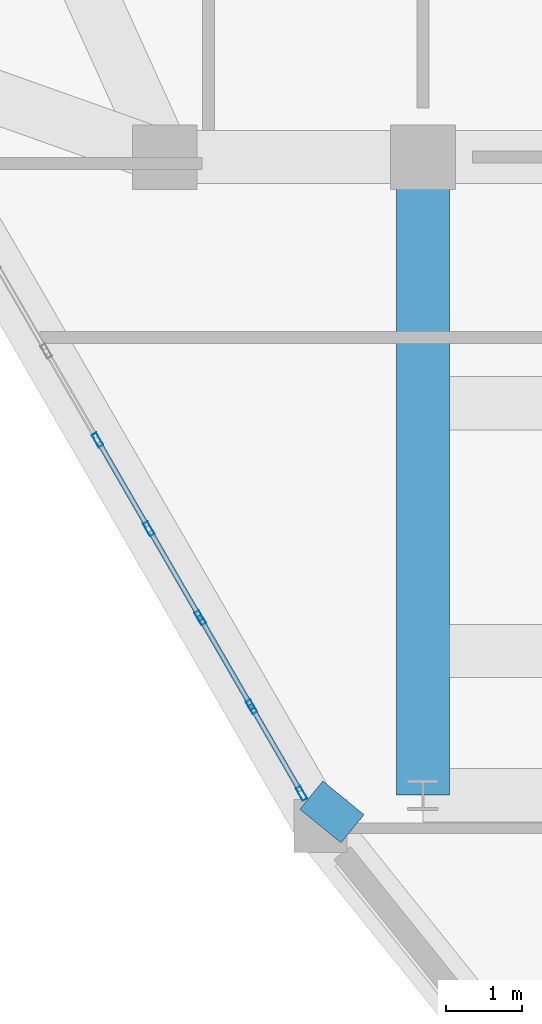
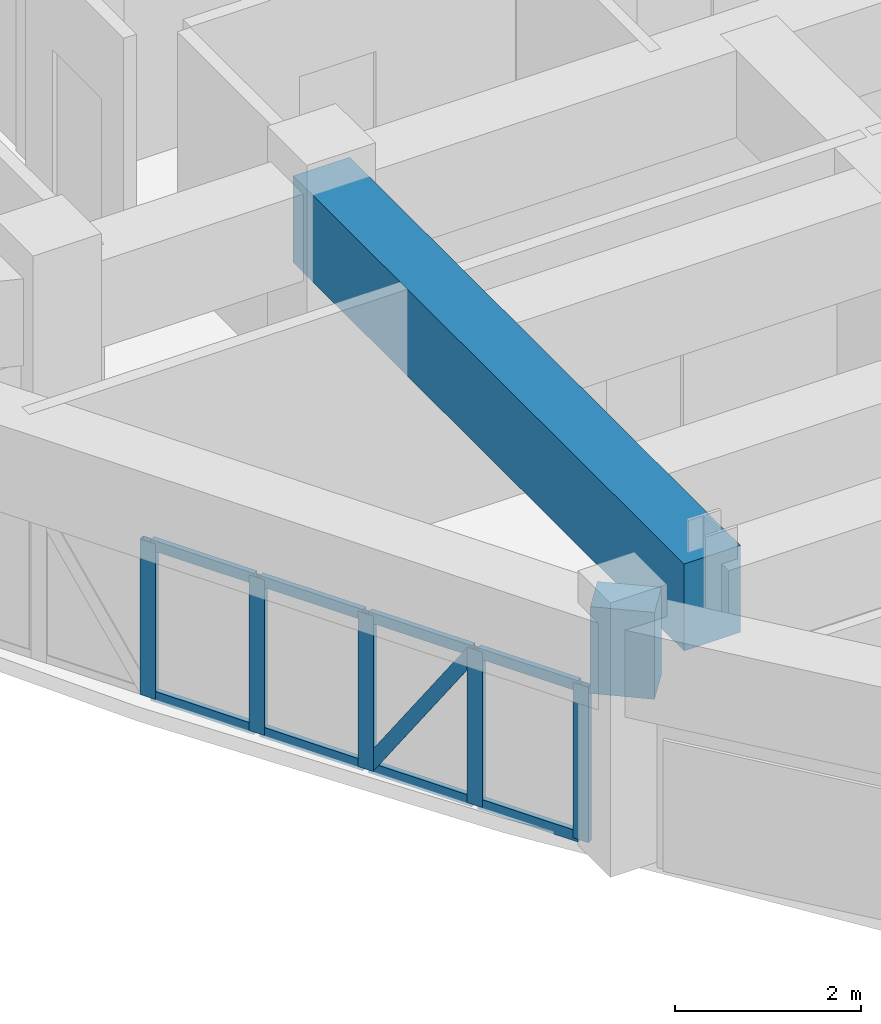
# One storey, part 2 of 14: 14 members, 2 beams, 1 element without a shape of its own.
"""IFC4 building model written with IfcOpenShell, lengths in metres."""

from ifc_helpers import new_model, si_unit, derived_unit, direction, frame, origin, origin_2d, place, context, subcontext, project, spatial, rectangle, hollow_rectangle, extrude, source, transform, mapped, material, layer, layer_set, material_profile, profile_set, type_object, element, aggregate, save


model = new_model("IFC4")

# Units and contexts
model_context = context("Model", 3, precision=1e-05, world=origin(), true_north=direction((0.0, 1.0)))
body_context = subcontext(model_context, "Body", "Model", "MODEL_VIEW")
ifc_project = project(units=[si_unit("LENGTHUNIT", "METRE"), si_unit("AREAUNIT", "SQUARE_METRE"), si_unit("VOLUMEUNIT", "CUBIC_METRE"), si_unit("PLANEANGLEUNIT", "RADIAN"), si_unit("MASSUNIT", "GRAM", prefix="KILO"), derived_unit("THERMALTRANSMITTANCEUNIT", [(si_unit("POWERUNIT", "WATT"), 1), (si_unit("LENGTHUNIT", "METRE"), -2), (si_unit("THERMODYNAMICTEMPERATUREUNIT", "KELVIN"), -1)])], contexts=[model_context])

# Site, building, storey
site_placement = place(None, origin())
site = spatial("IfcSite", under=ifc_project, at=site_placement, CompositionType="ELEMENT")
building_placement = place(site_placement, origin())
building = spatial("IfcBuilding", under=site, at=building_placement, Name="Korsvarv Bourse and Concert Hall", CompositionType="ELEMENT")
storey_placement = place(building_placement, frame((0.0, 0.0, 271.800048828125)))
storey = spatial("IfcBuildingStorey", under=building, at=storey_placement, Name="L71", CompositionType="ELEMENT", Elevation=271.800048828125)

# Beams
ifc_material_1 = material(Name="Concrete C50/60", Category="concrete")
ifc_material_profile_1 = material_profile(ifc_material_1, rectangle(XDim=0.699951171875, YDim=1.139892578125, at=origin_2d()), Name="RC-BM 700x1140")
ifc_profile_set_1 = profile_set([ifc_material_profile_1], Name="Concrete C50/60")
beam_type = type_object("IfcBeamType", Name="BM-TR-114", PredefinedType="BEAM", material=ifc_profile_set_1)
shared_shape_1 = source(origin(), body_context, "Body", "SweptSolid", [
    extrude(rectangle(XDim=0.699951171875, YDim=1.139892578125, at=origin_2d()), origin(), (0.0, 0.0, 1.0), 8.39990234375),
])
beam_1_placement = place(storey_placement, frame((27.60009765625, 24.0, 2.60986328125), z_axis=(0.0, 1.0, 0.0), x_axis=(-1.0, 0.0, 0.0)))
element("IfcBeam", 1, at=beam_1_placement, inside=storey, type_object=beam_type, Name="L71 beam B-TR5", PredefinedType="BEAM", context=body_context, shape_type="MappedRepresentation", body=[
    mapped(shared_shape_1, transform((0.0, 0.0, 0.0), scale=1.0)),
])
shared_shape_2 = source(origin(), body_context, "Body", "SweptSolid", [
    extrude(rectangle(XDim=0.699951171875, YDim=1.139892578125, at=origin_2d()), origin(), (0.0, 0.0, 1.0), 0.478515625),
])
beam_2_placement = place(storey_placement, frame((26.250244140625, 23.593505859375, 2.60986328125), z_axis=(0.631207155644, 0.775614289878, 0.0), x_axis=(-0.775614289878, 0.631207155644, 0.0)))
element("IfcBeam", 2, at=beam_2_placement, inside=storey, type_object=beam_type, Name="L71 beam B-TR5", PredefinedType="BEAM", context=body_context, shape_type="MappedRepresentation", body=[
    mapped(shared_shape_2, transform((0.0, 0.0, 0.0), scale=1.0)),
])

# Curtain wall, members
ifc_material_2 = material(Name="Anodised aluminium and triple low-E glazing", Category="glass")
ifc_layer = layer(ifc_material_2, 0.199951171875)
ifc_layer_set = layer_set([ifc_layer], Name="Anodised aluminium and triple low-E glazing")
curtain_wall_type = type_object("IfcCurtainWallType", Name="CW-SYS-3", PredefinedType="NOTDEFINED", material=ifc_layer_set)
curtain_wall_placement = place(storey_placement, origin())
curtain_wall = element("IfcCurtainWall", 3, at=curtain_wall_placement, inside=storey, type_object=curtain_wall_type, Name="L71 CW3 curtain wall CW-L71-F07", PredefinedType="NOTDEFINED")
ifc_material_3 = material(Name="Extruded aluminium EN AW-6063 T66", Category="aluminium")
ifc_material_profile_2 = material_profile(ifc_material_3, hollow_rectangle(XDim=0.070068359375, YDim=0.18994140625, WallThickness=0.0048828125, at=origin_2d()), Name="ALU-M 70x190")
ifc_profile_set_2 = profile_set([ifc_material_profile_2], Name="Extruded aluminium EN AW-6063 T66")
member_type_1 = type_object("IfcMemberType", Name="CWM-190", PredefinedType="MULLION", material=ifc_profile_set_2)
shared_shape_3 = source(origin(), body_context, "Body", "SweptSolid", [
    extrude(hollow_rectangle(XDim=0.070068359375, YDim=0.18994140625, WallThickness=0.0048828125, at=origin_2d()), origin(), (0.0, 0.0, 1.0), 2.0400390625),
])
member_1_placement = place(storey_placement, frame((23.3154296875, 28.6767578125, 0.0), z_axis=(0.0, 0.0, 1.0), x_axis=(0.866022834448, 0.500004450195, 0.0)))
member_1 = element("IfcMember", 4, at=member_1_placement, type_object=member_type_1, Name="CW3 mullion 5", PredefinedType="MULLION", context=body_context, shape_type="MappedRepresentation", body=[
    mapped(shared_shape_3, transform((0.0, 0.0, 0.0), scale=1.0)),
])
member_2_placement = place(storey_placement, frame((23.991455078125, 27.505859375, 0.0), z_axis=(0.0, 0.0, 1.0), x_axis=(0.866022834448, 0.500004450195, 0.0)))
member_2 = element("IfcMember", 5, at=member_2_placement, type_object=member_type_1, Name="CW3 mullion 6", PredefinedType="MULLION", context=body_context, shape_type="MappedRepresentation", body=[
    mapped(shared_shape_3, transform((0.0, 0.0, 0.0), scale=1.0)),
])
member_3_placement = place(storey_placement, frame((24.66748046875, 26.3349609375, 0.0), z_axis=(0.0, 0.0, 1.0), x_axis=(0.866022834448, 0.500004450195, 0.0)))
member_3 = element("IfcMember", 6, at=member_3_placement, type_object=member_type_1, Name="CW3 mullion 7", PredefinedType="MULLION", context=body_context, shape_type="MappedRepresentation", body=[
    mapped(shared_shape_3, transform((0.0, 0.0, 0.0), scale=1.0)),
])
member_4_placement = place(storey_placement, frame((25.343505859375, 25.164306640625, 0.0), z_axis=(0.0, 0.0, 1.0), x_axis=(0.866022834448, 0.500004450195, 0.0)))
member_4 = element("IfcMember", 7, at=member_4_placement, type_object=member_type_1, Name="CW3 mullion 8", PredefinedType="MULLION", context=body_context, shape_type="MappedRepresentation", body=[
    mapped(shared_shape_3, transform((0.0, 0.0, 0.0), scale=1.0)),
])
member_5_placement = place(storey_placement, frame((26.001953125, 24.02392578125, 0.0), z_axis=(0.0, 0.0, 1.0), x_axis=(0.866022834448, 0.500004450195, 0.0)))
member_5 = element("IfcMember", 8, at=member_5_placement, type_object=member_type_1, Name="CW3 mullion 9", PredefinedType="MULLION", context=body_context, shape_type="MappedRepresentation", body=[
    mapped(shared_shape_3, transform((0.0, 0.0, 0.0), scale=1.0)),
])
ifc_material_profile_3 = material_profile(ifc_material_3, hollow_rectangle(XDim=0.06494140625, YDim=0.139892578125, WallThickness=0.00390625, at=origin_2d()), Name="ALU-T 65x140")
ifc_profile_set_3 = profile_set([ifc_material_profile_3], Name="Extruded aluminium EN AW-6063 T66")
member_type_2 = type_object("IfcMemberType", Name="CWT-140", PredefinedType="USERDEFINED", material=ifc_profile_set_3)
shared_shape_4 = source(origin(), body_context, "Body", "SweptSolid", [
    extrude(hollow_rectangle(XDim=0.06494140625, YDim=0.139892578125, WallThickness=0.00390625, at=origin_2d()), origin(), (0.0, 0.0, 1.0), 1.246826171875),
])
member_6_placement = place(storey_placement, frame((25.36083984375, 25.134033203125, 0.032470703125), z_axis=(0.500055764683, -0.865993205636, 0.0), x_axis=(0.865993205636, 0.500055764683, 0.0)))
member_6 = element("IfcMember", 9, at=member_6_placement, type_object=member_type_2, Name="CW3 transom 8.1", ObjectType="TRANSOM", PredefinedType="USERDEFINED", context=body_context, shape_type="MappedRepresentation", body=[
    mapped(shared_shape_4, transform((0.0, 0.0, 0.0), scale=1.0)),
])
member_7_placement = place(storey_placement, frame((25.36083984375, 25.134033203125, 2.007568359375), z_axis=(0.500055764683, -0.865993205636, 0.0), x_axis=(0.865993205636, 0.500055764683, 0.0)))
member_7 = element("IfcMember", 10, at=member_7_placement, type_object=member_type_2, Name="CW3 transom 8.2", ObjectType="TRANSOM", PredefinedType="USERDEFINED", context=body_context, shape_type="MappedRepresentation", body=[
    mapped(shared_shape_4, transform((0.0, 0.0, 0.0), scale=1.0)),
])
shared_shape_5 = source(origin(), body_context, "Body", "SweptSolid", [
    extrude(hollow_rectangle(XDim=0.06494140625, YDim=0.139892578125, WallThickness=0.00390625, at=origin_2d()), origin(), (0.0, 0.0, 1.0), 1.28173828125),
])
member_8_placement = place(storey_placement, frame((24.009033203125, 27.4755859375, 0.032470703125), z_axis=(0.49996976238, -0.866042860778, 0.0), x_axis=(0.866042860778, 0.49996976238, 0.0)))
member_8 = element("IfcMember", 11, at=member_8_placement, type_object=member_type_2, Name="CW3 transom 6.1", ObjectType="TRANSOM", PredefinedType="USERDEFINED", context=body_context, shape_type="MappedRepresentation", body=[
    mapped(shared_shape_5, transform((0.0, 0.0, 0.0), scale=1.0)),
])
member_9_placement = place(storey_placement, frame((24.009033203125, 27.4755859375, 2.007568359375), z_axis=(0.49996976238, -0.866042860778, 0.0), x_axis=(0.866042860778, 0.49996976238, 0.0)))
member_9 = element("IfcMember", 12, at=member_9_placement, type_object=member_type_2, Name="CW3 transom 6.2", ObjectType="TRANSOM", PredefinedType="USERDEFINED", context=body_context, shape_type="MappedRepresentation", body=[
    mapped(shared_shape_5, transform((0.0, 0.0, 0.0), scale=1.0)),
])
member_10_placement = place(storey_placement, frame((24.68505859375, 26.3046875, 0.032470703125), z_axis=(0.49996976238, -0.866042860778, 0.0), x_axis=(0.866042860778, 0.49996976238, 0.0)))
member_10 = element("IfcMember", 13, at=member_10_placement, type_object=member_type_2, Name="CW3 transom 7.1", ObjectType="TRANSOM", PredefinedType="USERDEFINED", context=body_context, shape_type="MappedRepresentation", body=[
    mapped(shared_shape_5, transform((0.0, 0.0, 0.0), scale=1.0)),
])
member_11_placement = place(storey_placement, frame((24.68505859375, 26.3046875, 2.007568359375), z_axis=(0.49996976238, -0.866042860778, 0.0), x_axis=(0.866042860778, 0.49996976238, 0.0)))
member_11 = element("IfcMember", 14, at=member_11_placement, type_object=member_type_2, Name="CW3 transom 7.2", ObjectType="TRANSOM", PredefinedType="USERDEFINED", context=body_context, shape_type="MappedRepresentation", body=[
    mapped(shared_shape_5, transform((0.0, 0.0, 0.0), scale=1.0)),
])
shared_shape_6 = source(origin(), body_context, "Body", "SweptSolid", [
    extrude(hollow_rectangle(XDim=0.06494140625, YDim=0.139892578125, WallThickness=0.00390625, at=origin_2d()), origin(), (0.0, 0.0, 1.0), 1.281982421875),
])
member_12_placement = place(storey_placement, frame((23.3330078125, 28.646240234375, 0.032470703125), z_axis=(0.500112596238, -0.865960386556, 0.0), x_axis=(0.865960386556, 0.500112596238, 0.0)))
member_12 = element("IfcMember", 15, at=member_12_placement, type_object=member_type_2, Name="CW3 transom 5.1", ObjectType="TRANSOM", PredefinedType="USERDEFINED", context=body_context, shape_type="MappedRepresentation", body=[
    mapped(shared_shape_6, transform((0.0, 0.0, 0.0), scale=1.0)),
])
member_13_placement = place(storey_placement, frame((23.3330078125, 28.646240234375, 2.007568359375), z_axis=(0.500112596238, -0.865960386556, 0.0), x_axis=(0.865960386556, 0.500112596238, 0.0)))
member_13 = element("IfcMember", 16, at=member_13_placement, type_object=member_type_2, Name="CW3 transom 5.2", ObjectType="TRANSOM", PredefinedType="USERDEFINED", context=body_context, shape_type="MappedRepresentation", body=[
    mapped(shared_shape_6, transform((0.0, 0.0, 0.0), scale=1.0)),
])
ifc_material_profile_4 = material_profile(ifc_material_3, hollow_rectangle(XDim=0.06494140625, YDim=0.1650390625, WallThickness=0.0048828125, at=origin_2d()), Name="ALU-M 65x165")
ifc_profile_set_4 = profile_set([ifc_material_profile_4], Name="Extruded aluminium EN AW-6063 T66")
member_type_3 = type_object("IfcMemberType", Name="CWM-165", PredefinedType="MULLION", material=ifc_profile_set_4)
shared_shape_7 = source(origin(), body_context, "Body", "SweptSolid", [
    extrude(hollow_rectangle(XDim=0.06494140625, YDim=0.1650390625, WallThickness=0.0048828125, at=origin_2d()), origin(), (0.0, 0.0, 1.0), 2.30029296875),
])
member_14_placement = place(storey_placement, frame((24.68505859375, 26.3046875, 0.06494140625), z_axis=(0.278617268566, -0.482618179113, 0.830332530283), x_axis=(0.866042860778, 0.49996976238, 0.0)))
member_14 = element("IfcMember", 17, at=member_14_placement, type_object=member_type_3, Name="CW3 diagonal mullion 7", PredefinedType="MULLION", context=body_context, shape_type="MappedRepresentation", body=[
    mapped(shared_shape_7, transform((0.0, 0.0, 0.0), scale=1.0)),
])
aggregate(curtain_wall, [member_1, member_2, member_3, member_4, member_5, member_12, member_13, member_8, member_9, member_10, member_11, member_14, member_6, member_7])

save(model, "model.ifc")
